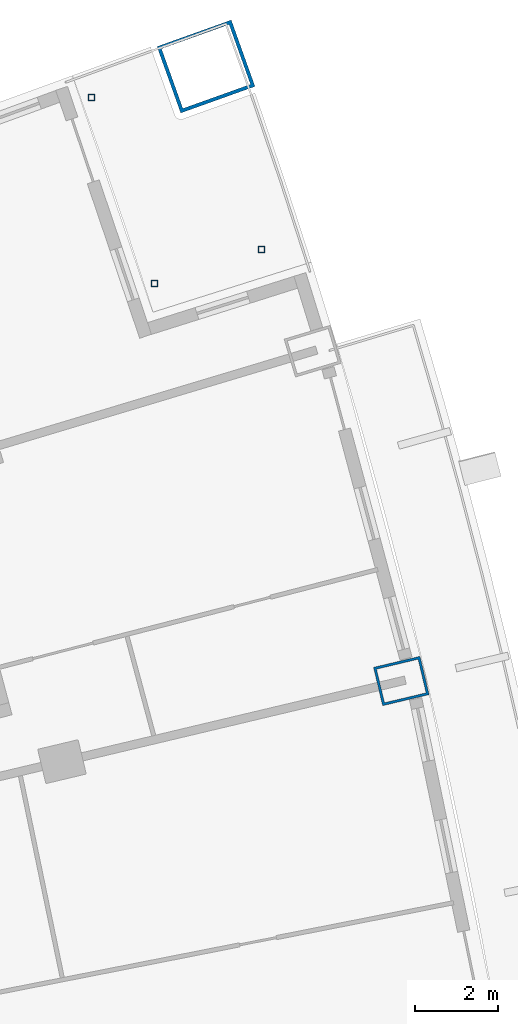
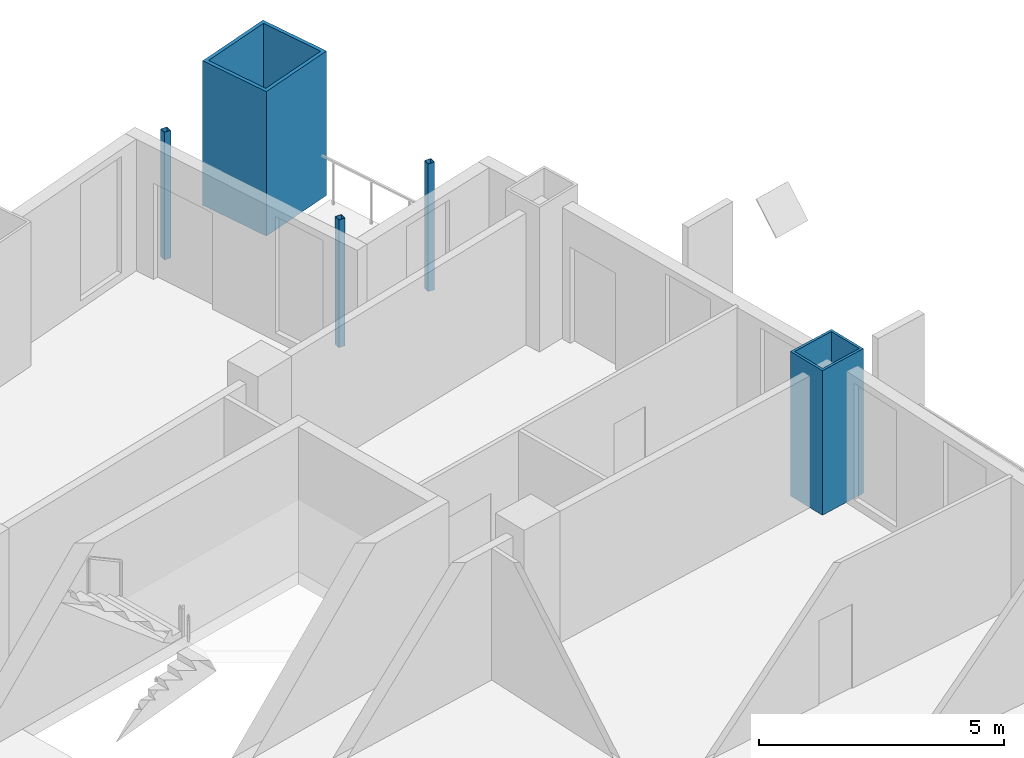
# One storey, part 11 of 25: 5 columns.
"""IFC4 building model written with IfcOpenShell, lengths in metres."""

from ifc_helpers import new_model, si_unit, direction, frame, origin, origin_2d, place, context, subcontext, project, spatial, hollow_rectangle, extrude, material, material_profile, profile_set, type_object, element, save


model = new_model("IFC4")

# Units and contexts
model_context = context("Model", 3, precision=1e-05, world=origin(), true_north=direction((0.0, 1.0)))
body_context = subcontext(model_context, "Body", "Model", "MODEL_VIEW")
ifc_project = project(units=[si_unit("LENGTHUNIT", "METRE"), si_unit("AREAUNIT", "SQUARE_METRE"), si_unit("VOLUMEUNIT", "CUBIC_METRE"), si_unit("PLANEANGLEUNIT", "RADIAN"), si_unit("MASSUNIT", "GRAM", prefix="KILO")], contexts=[model_context])

# Site, building, storey
site_placement = place(None, origin())
site = spatial("IfcSite", under=ifc_project, at=site_placement, CompositionType="ELEMENT")
building_placement = place(site_placement, origin())
building = spatial("IfcBuilding", under=site, at=building_placement, Name="Alderwake Tower", CompositionType="ELEMENT")
storey_placement = place(building_placement, frame((0.0, 0.0, 111.199951171875)))
storey = spatial("IfcBuildingStorey", under=building, at=storey_placement, Name="L27", CompositionType="ELEMENT", Elevation=111.199951171875)

# Columns
ifc_material_1 = material(Name="Steel ASTM A500 Grade C", Category="steel")
ifc_material_profile_1 = material_profile(ifc_material_1, hollow_rectangle(XDim=0.15234375, YDim=0.15234375, WallThickness=0.0087890625, at=origin_2d()), Name="HSS6X6X3/8")
ifc_profile_set_1 = profile_set([ifc_material_profile_1], Name="Steel ASTM A500 Grade C")
column_type_1 = type_object("IfcColumnType", Name="Light post HSS6X6X3/8", PredefinedType="COLUMN", material=ifc_profile_set_1)
for number, where, z_axis, x_axis, name in (
    (1, (53.81298828125, 103.9931640625, 0.0), (0.0, 0.0, 1.0), (1.0, 0.0, 0.0), "Terrace post FN1"),
    (2, (49.714111328125, 107.6572265625, 0.0), (0.0, 0.0, 1.0), (1.0, 0.0, 0.0), "Terrace post FN2"),
    (3, (51.238525390625, 103.178955078125, 0.0), (0.0, 0.0, 1.0), (1.0, 0.0, 0.0), "Terrace post FN3"),
):
    element("IfcColumn", number, at=place(storey_placement, frame(where, z_axis=z_axis, x_axis=x_axis)), inside=storey, type_object=column_type_1, Name=name, PredefinedType="COLUMN", context=body_context, shape_type="SweptSolid", body=[
        extrude(hollow_rectangle(XDim=0.15234375, YDim=0.15234375, WallThickness=0.0087890625, at=origin_2d()), origin(), (0.0, 0.0, 1.0), 3.179931640625),
    ])
ifc_material_2 = material(Name="Steel ASTM A572 Grade 50 concrete filled C70/85", Category="concrete")
ifc_material_profile_2 = material_profile(ifc_material_2, hollow_rectangle(XDim=1.699951171875, YDim=1.89990234375, WallThickness=0.0849609375, at=origin_2d()), Name="BOX 1900X1700X85")
ifc_profile_set_2 = profile_set([ifc_material_profile_2], Name="Steel ASTM A572 Grade 50 concrete filled C70/85")
column_type_2 = type_object("IfcColumnType", Name="Mega column Z2", PredefinedType="COLUMN", material=ifc_profile_set_2)
column_1_placement = place(storey_placement, frame((52.47509765625, 108.401123046875, 0.0), z_axis=(0.0, 0.0, 1.0), x_axis=(-0.336894783301, 0.941542301219, 0.0)))
element("IfcColumn", 4, at=column_1_placement, inside=storey, type_object=column_type_2, Name="Column R13-C5", PredefinedType="COLUMN", context=body_context, shape_type="SweptSolid", body=[
    extrude(hollow_rectangle(XDim=1.699951171875, YDim=1.89990234375, WallThickness=0.0849609375, at=origin_2d()), origin(), (0.0, 0.0, 1.0), 3.60009765625),
])
ifc_material_3 = material(Name="Steel ASTM A572 Grade 50 concrete filled C70/85", Category="concrete")
ifc_material_profile_3 = material_profile(ifc_material_3, hollow_rectangle(XDim=0.949951171875, YDim=1.14990234375, WallThickness=0.06005859375, at=origin_2d()), Name="BOX 1150X950X60")
ifc_profile_set_3 = profile_set([ifc_material_profile_3], Name="Steel ASTM A572 Grade 50 concrete filled C70/85")
column_type_3 = type_object("IfcColumnType", Name="Perimeter column Z2", PredefinedType="COLUMN", material=ifc_profile_set_3)
column_2_placement = place(storey_placement, frame((57.178955078125, 93.602294921875, 0.0), z_axis=(0.0, 0.0, 1.0), x_axis=(-0.231221547198, 0.972901123502, 0.0)))
element("IfcColumn", 5, at=column_2_placement, inside=storey, type_object=column_type_3, Name="Column R11-C5", PredefinedType="COLUMN", context=body_context, shape_type="SweptSolid", body=[
    extrude(hollow_rectangle(XDim=0.949951171875, YDim=1.14990234375, WallThickness=0.06005859375, at=origin_2d()), origin(), (0.0, 0.0, 1.0), 3.60009765625),
])

save(model, "model.ifc")
